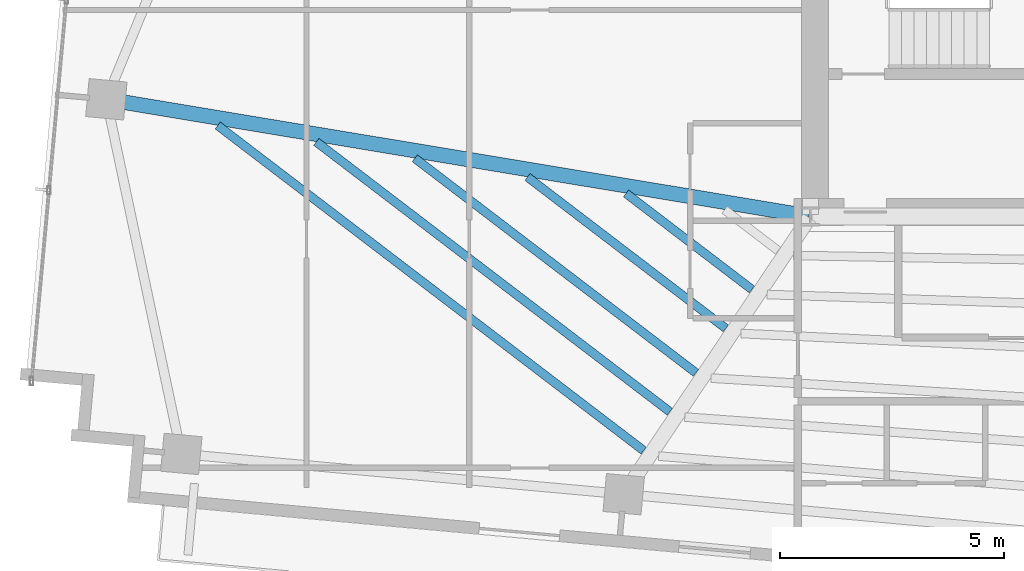
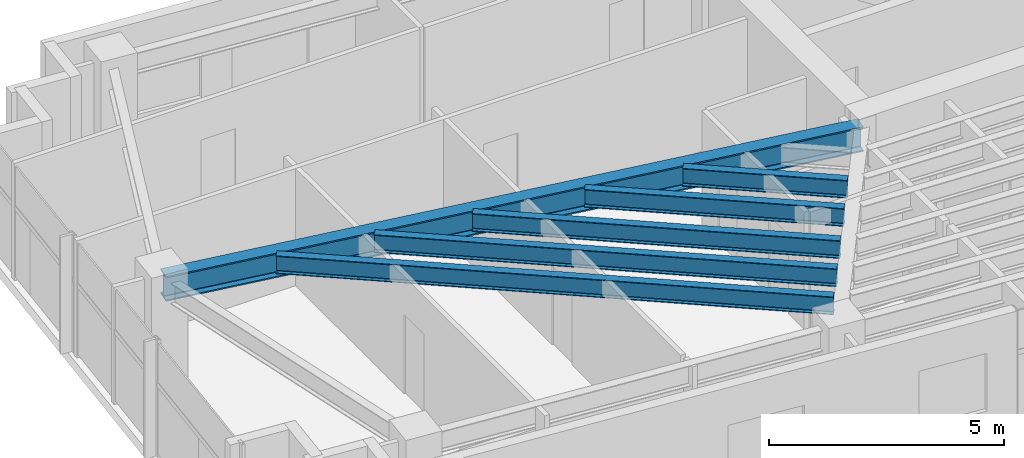
# One storey, part 5 of 22: 6 beams.
"""IFC4 building model written with IfcOpenShell, lengths in metres."""

from ifc_helpers import new_model, si_unit, direction, frame, origin, origin_2d, place, context, subcontext, project, spatial, i_section, extrude, source, transform, mapped, material, material_profile, profile_set, type_object, type_shapes, element, save


model = new_model("IFC4")

# Units and contexts
model_context = context("Model", 3, precision=1e-05, world=origin(), true_north=direction((0.0, 1.0)))
body_context = subcontext(model_context, "Body", "Model", "MODEL_VIEW")
ifc_project = project(units=[si_unit("LENGTHUNIT", "METRE"), si_unit("AREAUNIT", "SQUARE_METRE"), si_unit("VOLUMEUNIT", "CUBIC_METRE"), si_unit("PLANEANGLEUNIT", "RADIAN"), si_unit("MASSUNIT", "GRAM", prefix="KILO")], contexts=[model_context])

# Site, building, storey
site_placement = place(None, origin())
site = spatial("IfcSite", under=ifc_project, at=site_placement, CompositionType="ELEMENT")
building_placement = place(site_placement, origin())
building = spatial("IfcBuilding", under=site, at=building_placement, Name="Astriad Promenade Condominiums", CompositionType="ELEMENT")
storey_placement = place(building_placement, frame((0.0, 0.0, 219.89990234375)))
storey = spatial("IfcBuildingStorey", under=building, at=storey_placement, Name="L63", CompositionType="ELEMENT", Elevation=219.89990234375)

# Beams
ifc_material = material(Name="Steel ASTM A992 Grade 50", Category="steel")
ifc_material_profile_1 = material_profile(ifc_material, i_section(OverallWidth=0.327392578125, OverallDepth=0.640625, WebThickness=0.01904296875, FlangeThickness=0.033935546875, FilletRadius=0.017822265625, at=origin_2d()), Name="W24X176")
ifc_profile_set_1 = profile_set([ifc_material_profile_1], Name="Steel ASTM A992 Grade 50")
beam_type_1 = type_object("IfcBeamType", Name="STEEL FLOOR GIRDER W24X176", PredefinedType="BEAM", material=ifc_profile_set_1)
shared_shape_1 = source(origin(), body_context, "Body", "SweptSolid", [
    extrude(i_section(OverallWidth=0.327392578125, OverallDepth=0.640625, WebThickness=0.01904296875, FlangeThickness=0.033935546875, FilletRadius=0.017822265625, at=origin_2d()), origin(), (0.0, 0.0, 1.0), 15.824462890625),
])
type_shapes(beam_type_1, [shared_shape_1])
beam_1_placement = place(storey_placement, frame((10.750732421875, 20.003662109375, 2.7197265625), z_axis=(0.986439752668, -0.164123777548, 0.0), x_axis=(0.164123777548, 0.986439752668, 0.0)))
element("IfcBeam", 1, at=beam_1_placement, inside=storey, type_object=beam_type_1, Name="Primary Floor Girder PG-WM-L63", PredefinedType="BEAM", context=body_context, shape_type="MappedRepresentation", body=[
    mapped(shared_shape_1, transform((0.0, 0.0, 0.0), scale=1.0)),
])
ifc_material_profile_2 = material_profile(ifc_material, i_section(OverallWidth=0.19287109375, OverallDepth=0.466064453125, WebThickness=0.011474609375, FlangeThickness=0.01904296875, FilletRadius=0.01513671875, at=origin_2d()), Name="W18X65")
ifc_profile_set_2 = profile_set([ifc_material_profile_2], Name="Steel ASTM A992 Grade 50")
beam_type_2 = type_object("IfcBeamType", Name="STEEL FLOOR JOIST W18X65", PredefinedType="JOIST", material=ifc_profile_set_2)
shared_shape_2 = source(origin(), body_context, "Body", "SweptSolid", [
    extrude(i_section(OverallWidth=0.19287109375, OverallDepth=0.466064453125, WebThickness=0.011474609375, FlangeThickness=0.01904296875, FilletRadius=0.01513671875, at=origin_2d()), origin(), (0.0, 0.0, 1.0), 11.941162109375),
])
beam_2_placement = place(storey_placement, frame((13.193603515625, 19.426513671875, 2.80712890625), z_axis=(0.794872876153, -0.606775997182, 0.0), x_axis=(0.606775997182, 0.794872876153, 0.0)))
element("IfcBeam", 2, at=beam_2_placement, inside=storey, type_object=beam_type_2, Name="Secondary Composite Floor Joist JW1-1-L63", PredefinedType="JOIST", context=body_context, shape_type="MappedRepresentation", body=[
    mapped(shared_shape_2, transform((0.0, 0.0, 0.0), scale=1.0)),
])
shared_shape_3 = source(origin(), body_context, "Body", "SweptSolid", [
    extrude(i_section(OverallWidth=0.19287109375, OverallDepth=0.466064453125, WebThickness=0.011474609375, FlangeThickness=0.01904296875, FilletRadius=0.01513671875, at=origin_2d()), origin(), (0.0, 0.0, 1.0), 9.91015625),
])
beam_3_placement = place(storey_placement, frame((15.39013671875, 19.06103515625, 2.80712890625), z_axis=(0.794880580107, -0.606765904916, 0.0), x_axis=(0.606765904916, 0.794880580107, 0.0)))
element("IfcBeam", 3, at=beam_3_placement, inside=storey, type_object=beam_type_2, Name="Secondary Composite Floor Joist JW1-2-L63", PredefinedType="JOIST", context=body_context, shape_type="MappedRepresentation", body=[
    mapped(shared_shape_3, transform((0.0, 0.0, 0.0), scale=1.0)),
])
shared_shape_4 = source(origin(), body_context, "Body", "SweptSolid", [
    extrude(i_section(OverallWidth=0.19287109375, OverallDepth=0.466064453125, WebThickness=0.011474609375, FlangeThickness=0.01904296875, FilletRadius=0.01513671875, at=origin_2d()), origin(), (0.0, 0.0, 1.0), 7.8798828125),
])
beam_4_placement = place(storey_placement, frame((17.58642578125, 18.69580078125, 2.80712890625), z_axis=(0.794873774806, -0.60677481995, 0.0), x_axis=(0.60677481995, 0.794873774806, 0.0)))
element("IfcBeam", 4, at=beam_4_placement, inside=storey, type_object=beam_type_2, Name="Secondary Composite Floor Joist JW1-3-L63", PredefinedType="JOIST", context=body_context, shape_type="MappedRepresentation", body=[
    mapped(shared_shape_4, transform((0.0, 0.0, 0.0), scale=1.0)),
])
shared_shape_5 = source(origin(), body_context, "Body", "SweptSolid", [
    extrude(i_section(OverallWidth=0.19287109375, OverallDepth=0.466064453125, WebThickness=0.011474609375, FlangeThickness=0.01904296875, FilletRadius=0.01513671875, at=origin_2d()), origin(), (0.0, 0.0, 1.0), 5.55908203125),
])
beam_5_placement = place(storey_placement, frame((20.0966796875, 18.278076171875, 2.80712890625), z_axis=(0.794874877878, -0.606773374925, 0.0), x_axis=(0.606773374925, 0.794874877878, 0.0)))
element("IfcBeam", 5, at=beam_5_placement, inside=storey, type_object=beam_type_2, Name="Secondary Composite Floor Joist JW1-4-L63", PredefinedType="JOIST", context=body_context, shape_type="MappedRepresentation", body=[
    mapped(shared_shape_5, transform((0.0, 0.0, 0.0), scale=1.0)),
])
shared_shape_6 = source(origin(), body_context, "Body", "SweptSolid", [
    extrude(i_section(OverallWidth=0.19287109375, OverallDepth=0.466064453125, WebThickness=0.011474609375, FlangeThickness=0.01904296875, FilletRadius=0.01513671875, at=origin_2d()), origin(), (0.0, 0.0, 1.0), 3.5283203125),
])
type_shapes(beam_type_2, [shared_shape_2, shared_shape_3, shared_shape_4, shared_shape_5, shared_shape_6])
beam_6_placement = place(storey_placement, frame((22.293212890625, 17.91259765625, 2.80712890625), z_axis=(0.794864295135, -0.606787238099, 0.0), x_axis=(0.606787238099, 0.794864295135, 0.0)))
element("IfcBeam", 6, at=beam_6_placement, inside=storey, type_object=beam_type_2, Name="Secondary Composite Floor Joist JW1-5-L63", PredefinedType="JOIST", context=body_context, shape_type="MappedRepresentation", body=[
    mapped(shared_shape_6, transform((0.0, 0.0, 0.0), scale=1.0)),
])

save(model, "model.ifc")
